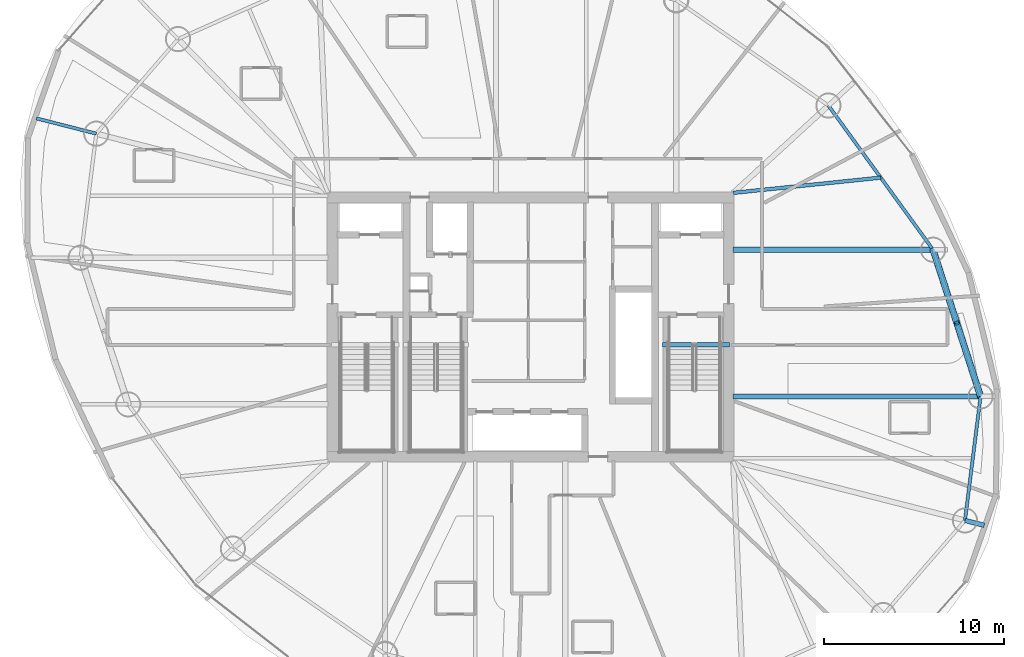
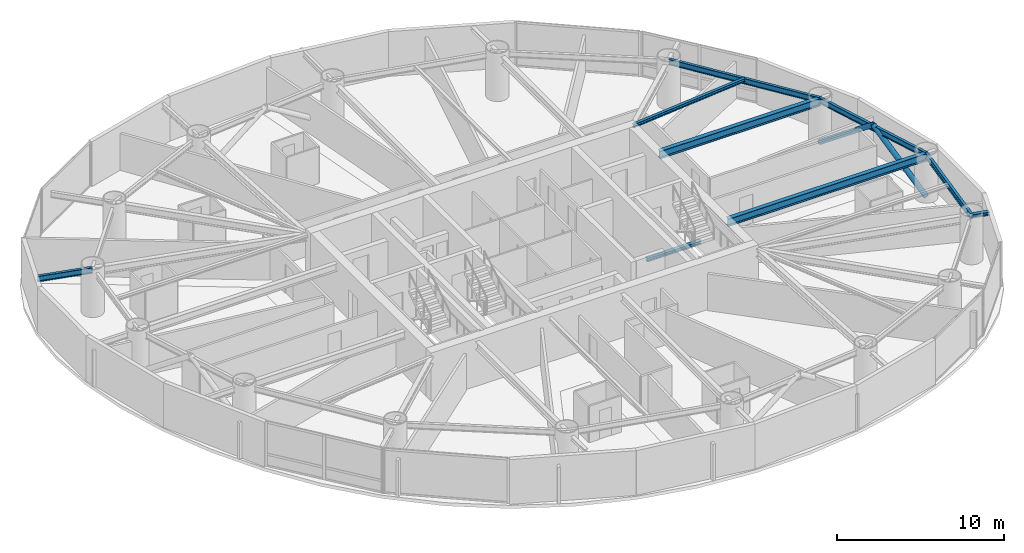
# One storey, part 7 of 20: 9 beams, 2 members.
"""IFC4 building model written with IfcOpenShell, lengths in metres."""

from ifc_helpers import new_model, si_unit, direction, frame, origin, origin_2d, place, context, subcontext, project, spatial, hollow_circle, i_section, extrude, material, material_profile, profile_set, type_object, element, save


model = new_model("IFC4")

# Units and contexts
model_context = context("Model", 3, precision=1e-05, world=origin(), true_north=direction((0.0, 1.0)))
body_context = subcontext(model_context, "Body", "Model", "MODEL_VIEW")
ifc_project = project(units=[si_unit("LENGTHUNIT", "METRE"), si_unit("AREAUNIT", "SQUARE_METRE"), si_unit("VOLUMEUNIT", "CUBIC_METRE"), si_unit("PLANEANGLEUNIT", "RADIAN"), si_unit("MASSUNIT", "GRAM", prefix="KILO")], contexts=[model_context])

# Site, building, storey
site_placement = place(None, origin())
site = spatial("IfcSite", under=ifc_project, at=site_placement, CompositionType="ELEMENT")
building_placement = place(site_placement, origin())
building = spatial("IfcBuilding", under=site, at=building_placement, Name="Bramvorn Convention Spire", CompositionType="ELEMENT")
storey_placement = place(building_placement, frame((0.0, 0.0, 151.800048828125)))
storey = spatial("IfcBuildingStorey", under=building, at=storey_placement, Name="L38", CompositionType="ELEMENT", Elevation=151.800048828125)

# Beams
ifc_material = material(Name="Steel CSA G40.21 Grade 350 (350W)", Category="steel")
ifc_material_profile_1 = material_profile(ifc_material, i_section(OverallWidth=0.201904296875, OverallDepth=0.2470703125, WebThickness=0.00732421875, FlangeThickness=0.010986328125, FilletRadius=0.011962890625, at=origin_2d()))
ifc_profile_set_1 = profile_set([ifc_material_profile_1], Name="Steel CSA G40.21 Grade 350 (350W) - W250X49")
beam_type_1 = type_object("IfcBeamType", Name="BM-W250X49", PredefinedType="JOIST", material=ifc_profile_set_1)
beam_1_placement = place(storey_placement, frame((49.25, 33.449951171875, 3.136474609375), z_axis=(0.994705076194, 0.102770673804, 0.0), x_axis=(-0.102770673804, 0.994705076194, 0.0)))
element("IfcBeam", 1, at=beam_1_placement, inside=storey, type_object=beam_type_1, Name="L38 composite floor joist 03", PredefinedType="JOIST", context=body_context, shape_type="SweptSolid", body=[
    extrude(i_section(OverallWidth=0.201904296875, OverallDepth=0.2470703125, WebThickness=0.00732421875, FlangeThickness=0.010986328125, FilletRadius=0.011962890625, at=origin_2d()), origin(), (0.0, 0.0, 1.0), 8.23388671875),
])
ifc_material_profile_2 = material_profile(ifc_material, i_section(OverallWidth=0.25390625, OverallDepth=0.2529296875, WebThickness=0.008544921875, FlangeThickness=0.01416015625, FilletRadius=0.011962890625, at=origin_2d()))
ifc_profile_set_2 = profile_set([ifc_material_profile_2], Name="Steel CSA G40.21 Grade 350 (350W) - W250X73")
beam_type_2 = type_object("IfcBeamType", Name="BM-W250X73", PredefinedType="BEAM", material=ifc_profile_set_2)
beam_2_placement = place(storey_placement, frame((62.11767578125, 15.26220703125, 3.1083984375), z_axis=(0.968856903131, -0.247621285948, 0.0), x_axis=(0.247621285948, 0.968856903131, 0.0)))
element("IfcBeam", 2, at=beam_2_placement, inside=storey, type_object=beam_type_2, Name="L38 slab-edge cantilever tip beam MC01", PredefinedType="BEAM", context=body_context, shape_type="SweptSolid", body=[
    extrude(i_section(OverallWidth=0.25390625, OverallDepth=0.2529296875, WebThickness=0.008544921875, FlangeThickness=0.01416015625, FilletRadius=0.011962890625, at=origin_2d()), origin(), (0.0, 0.0, 1.0), 1.106201171875),
])
beam_3_placement = place(storey_placement, frame((45.31005859375, 25.010009765625, -0.12646484375), z_axis=(1.0, 0.0, 0.0), x_axis=(0.0, 1.0, 0.0)))
element("IfcBeam", 3, at=beam_3_placement, inside=storey, type_object=beam_type_2, Name="L38 ST2 stair arrival header beam", PredefinedType="BEAM", context=body_context, shape_type="SweptSolid", body=[
    extrude(i_section(OverallWidth=0.25390625, OverallDepth=0.2529296875, WebThickness=0.008544921875, FlangeThickness=0.01416015625, FilletRadius=0.011962890625, at=origin_2d()), origin(), (0.0, 0.0, 1.0), 3.739990234375),
])
ifc_material_profile_3 = material_profile(ifc_material, i_section(OverallWidth=0.180908203125, OverallDepth=0.4169921875, WebThickness=0.010986328125, FlangeThickness=0.018310546875, FilletRadius=0.01611328125, at=origin_2d()))
ifc_profile_set_3 = profile_set([ifc_material_profile_3], Name="Steel CSA G40.21 Grade 350 (350W) - W410X85")
beam_type_3 = type_object("IfcBeamType", Name="BM-W410X85", PredefinedType="JOIST", material=ifc_profile_set_3)
beam_4_placement = place(storey_placement, frame((62.11767578125, 15.26220703125, 3.051513671875), z_axis=(0.124775053879, 0.992185056292, 0.0), x_axis=(-0.992185056292, 0.124775053879, 0.0)))
element("IfcBeam", 4, at=beam_4_placement, inside=storey, type_object=beam_type_3, Name="L38 mega-column ring beam 01", PredefinedType="JOIST", context=body_context, shape_type="SweptSolid", body=[
    extrude(i_section(OverallWidth=0.180908203125, OverallDepth=0.4169921875, WebThickness=0.010986328125, FlangeThickness=0.018310546875, FilletRadius=0.01611328125, at=origin_2d()), origin(), (0.0, 0.0, 1.0), 6.940185546875),
])
beam_5_placement = place(storey_placement, frame((62.983642578125, 22.148193359375, 3.051513671875), z_axis=(-0.308114853612, 0.951349166701, 0.0), x_axis=(-0.951349166701, -0.308114853612, 0.0)))
element("IfcBeam", 5, at=beam_5_placement, inside=storey, type_object=beam_type_3, Name="L38 mega-column ring beam 02", PredefinedType="JOIST", context=body_context, shape_type="SweptSolid", body=[
    extrude(i_section(OverallWidth=0.180908203125, OverallDepth=0.4169921875, WebThickness=0.010986328125, FlangeThickness=0.018310546875, FilletRadius=0.01611328125, at=origin_2d()), origin(), (0.0, 0.0, 1.0), 8.5615234375),
])
beam_6_placement = place(storey_placement, frame((60.345703125, 30.293212890625, 3.051513671875), z_axis=(-0.587401024629, 0.809296012757, 0.0), x_axis=(-0.809296012757, -0.587401024629, 0.0)))
element("IfcBeam", 6, at=beam_6_placement, inside=storey, type_object=beam_type_3, Name="L38 mega-column ring beam 03", PredefinedType="JOIST", context=body_context, shape_type="SweptSolid", body=[
    extrude(i_section(OverallWidth=0.180908203125, OverallDepth=0.4169921875, WebThickness=0.010986328125, FlangeThickness=0.018310546875, FilletRadius=0.01611328125, at=origin_2d()), origin(), (0.0, 0.0, 1.0), 9.892333984375),
])
beam_7_placement = place(storey_placement, frame((13.88232421875, 36.73779296875, 3.0263671875), z_axis=(-0.968869424264, 0.247572289902, 0.0), x_axis=(-0.247572289902, -0.968869424264, 0.0)))
element("IfcBeam", 7, at=beam_7_placement, inside=storey, type_object=beam_type_3, Name="L38 Sky-Garden cantilever tip girder MC09", PredefinedType="JOIST", context=body_context, shape_type="SweptSolid", body=[
    extrude(i_section(OverallWidth=0.180908203125, OverallDepth=0.4169921875, WebThickness=0.010986328125, FlangeThickness=0.018310546875, FilletRadius=0.01611328125, at=origin_2d()), origin(), (0.0, 0.0, 1.0), 3.4306640625),
])
ifc_material_profile_4 = material_profile(ifc_material, i_section(OverallWidth=0.2919921875, OverallDepth=0.551025390625, WebThickness=0.01513671875, FlangeThickness=0.0244140625, FilletRadius=0.01904296875, at=origin_2d()))
ifc_profile_set_4 = profile_set([ifc_material_profile_4], Name="Steel CSA G40.21 Grade 350 (350W) - W530X182")
beam_type_4 = type_object("IfcBeamType", Name="BM-W530X182", PredefinedType="BEAM", material=ifc_profile_set_4)
beam_8_placement = place(storey_placement, frame((49.25, 22.148193359375, 2.984375), z_axis=(1.0, 0.0, 0.0), x_axis=(0.0, 1.0, 0.0)))
element("IfcBeam", 8, at=beam_8_placement, inside=storey, type_object=beam_type_4, Name="L38 radial floor girder MC02", PredefinedType="BEAM", context=body_context, shape_type="SweptSolid", body=[
    extrude(i_section(OverallWidth=0.2919921875, OverallDepth=0.551025390625, WebThickness=0.01513671875, FlangeThickness=0.0244140625, FilletRadius=0.01904296875, at=origin_2d()), origin(), (0.0, 0.0, 1.0), 13.733642578125),
])
beam_9_placement = place(storey_placement, frame((49.25, 30.293212890625, 2.984375), z_axis=(1.0, 0.0, 0.0), x_axis=(0.0, 1.0, 0.0)))
element("IfcBeam", 9, at=beam_9_placement, inside=storey, type_object=beam_type_4, Name="L38 radial floor girder MC03", PredefinedType="BEAM", context=body_context, shape_type="SweptSolid", body=[
    extrude(i_section(OverallWidth=0.2919921875, OverallDepth=0.551025390625, WebThickness=0.01513671875, FlangeThickness=0.0244140625, FilletRadius=0.01904296875, at=origin_2d()), origin(), (0.0, 0.0, 1.0), 11.095703125),
])

# Members
ifc_material_profile_5 = material_profile(ifc_material, hollow_circle(Radius=0.177734375, WallThickness=0.015869140625, at=origin_2d()))
ifc_profile_set_5 = profile_set([ifc_material_profile_5], Name="Steel CSA G40.21 Grade 350 (350W) - CHS356X16")
member_type = type_object("IfcMemberType", Name="MBR-CHS356X16", PredefinedType="BRACE", material=ifc_profile_set_5)
for number, where, z_axis, x_axis, name in (
    (10, (62.983642578125, 22.148193359375, 0.0), (-0.245105274589, 0.75686802766, 0.605866481227), (-0.951357525158, -0.308089044476, 0.0), "L38 perimeter Gothic lancet brace 2A"),
    (11, (60.345703125, 30.293212890625, 0.0), (0.245147921079, -0.756859609759, 0.605859742768), (0.951340807692, 0.308140662068, 0.0), "L38 perimeter Gothic lancet brace 2B"),
):
    element("IfcMember", number, at=place(storey_placement, frame(where, z_axis=z_axis, x_axis=x_axis)), inside=storey, type_object=member_type, Name=name, PredefinedType="BRACE", context=body_context, shape_type="SweptSolid", body=[
        extrude(hollow_circle(Radius=0.177734375, WallThickness=0.015869140625, at=origin_2d()), origin(), (0.0, 0.0, 1.0), 5.380859375),
    ])

save(model, "model.ifc")
